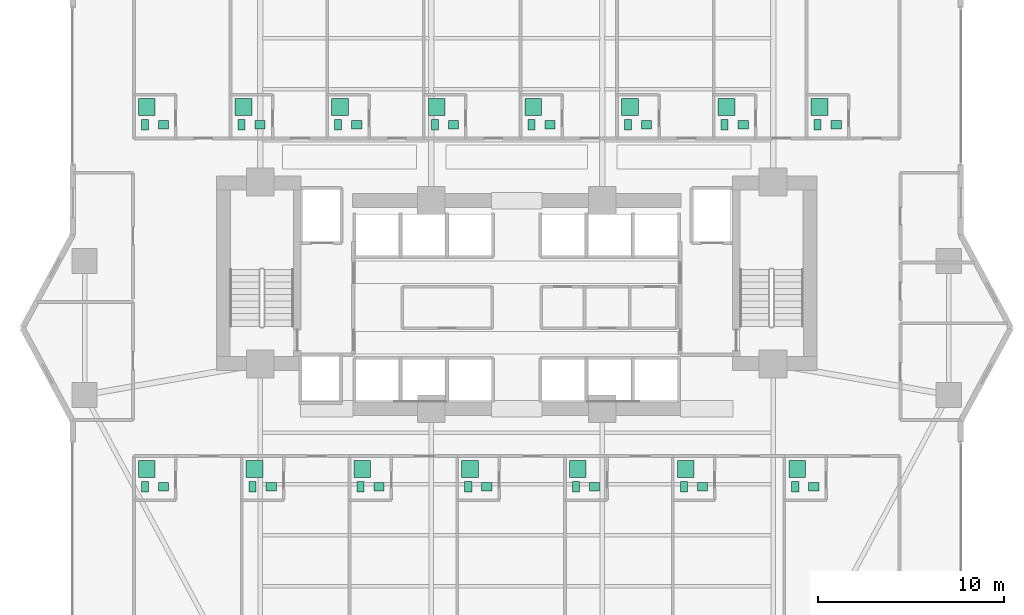
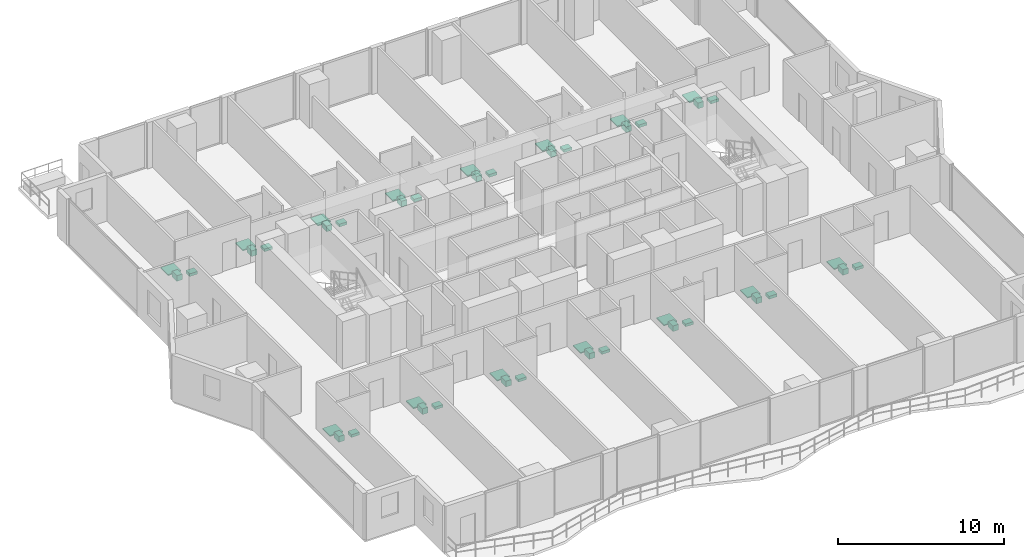
# One storey, part 29 of 29: 45 sanitary terminals.
"""IFC4 building model written with IfcOpenShell, lengths in metres."""

from ifc_helpers import new_model, si_unit, direction, frame, origin, origin_2d, place, context, subcontext, project, spatial, rectangle, extrude, material, type_object, element, save


model = new_model("IFC4")

# Units and contexts
model_context = context("Model", 3, precision=1e-05, world=origin(), true_north=direction((0.0, 1.0)))
body_context = subcontext(model_context, "Body", "Model", "MODEL_VIEW")
ifc_project = project(units=[si_unit("LENGTHUNIT", "METRE"), si_unit("AREAUNIT", "SQUARE_METRE"), si_unit("VOLUMEUNIT", "CUBIC_METRE"), si_unit("PLANEANGLEUNIT", "RADIAN"), si_unit("MASSUNIT", "GRAM", prefix="KILO")], contexts=[model_context])

# Site, building, storey
site_placement = place(None, origin())
site = spatial("IfcSite", under=ifc_project, at=site_placement, CompositionType="ELEMENT")
building_placement = place(site_placement, origin())
building = spatial("IfcBuilding", under=site, at=building_placement, Name="Zuhayl Quay Hotel", CompositionType="ELEMENT")
storey_placement = place(building_placement, frame((0.0, 0.0, 158.550048828125)))
storey = spatial("IfcBuildingStorey", under=building, at=storey_placement, Name="L40", CompositionType="ELEMENT", Elevation=158.550048828125)

# Sanitary terminals
ifc_material = material(Name="Vitreous Porcelain Sanitaryware")
sanitary_terminal_type_1 = type_object("IfcSanitaryTerminalType", Name="SAN_BASIN", PredefinedType="WASHHANDBASIN", material=ifc_material)
for number, where, z_axis, x_axis, name in (
    (1, (-19.010009765625, 17.43994140625, 0.0), (0.0, 0.0, 1.0), (1.0, 0.0, 0.0), "L40 Sanitary Fixture WASHHANDBASIN"),
    (2, (-13.81005859375, 17.43994140625, 0.0), (0.0, 0.0, 1.0), (1.0, 0.0, 0.0), "L40 Sanitary Fixture WASHHANDBASIN"),
    (3, (-8.610107421875, 17.43994140625, 0.0), (0.0, 0.0, 1.0), (1.0, 0.0, 0.0), "L40 Sanitary Fixture WASHHANDBASIN"),
    (4, (-3.409912109375, 17.43994140625, 0.0), (0.0, 0.0, 1.0), (1.0, 0.0, 0.0), "L40 Sanitary Fixture WASHHANDBASIN"),
    (5, (1.7900390625, 17.43994140625, 0.0), (0.0, 0.0, 1.0), (1.0, 0.0, 0.0), "L40 Sanitary Fixture WASHHANDBASIN"),
    (6, (6.989990234375, 17.43994140625, 0.0), (0.0, 0.0, 1.0), (1.0, 0.0, 0.0), "L40 Sanitary Fixture WASHHANDBASIN"),
    (7, (12.18994140625, 17.43994140625, 0.0), (0.0, 0.0, 1.0), (1.0, 0.0, 0.0), "L40 Sanitary Fixture WASHHANDBASIN"),
    (8, (17.18994140625, 17.43994140625, 0.0), (0.0, 0.0, 1.0), (1.0, 0.0, 0.0), "L40 Sanitary Fixture WASHHANDBASIN"),
    (9, (-19.010009765625, -2.0400390625, 0.0), (0.0, 0.0, 1.0), (1.0, 0.0, 0.0), "L40 Sanitary Fixture WASHHANDBASIN"),
    (10, (-13.2099609375, -2.0400390625, 0.0), (0.0, 0.0, 1.0), (1.0, 0.0, 0.0), "L40 Sanitary Fixture WASHHANDBASIN"),
    (11, (-7.409912109375, -2.0400390625, 0.0), (0.0, 0.0, 1.0), (1.0, 0.0, 0.0), "L40 Sanitary Fixture WASHHANDBASIN"),
    (12, (-1.610107421875, -2.0400390625, 0.0), (0.0, 0.0, 1.0), (1.0, 0.0, 0.0), "L40 Sanitary Fixture WASHHANDBASIN"),
    (13, (4.18994140625, -2.0400390625, 0.0), (0.0, 0.0, 1.0), (1.0, 0.0, 0.0), "L40 Sanitary Fixture WASHHANDBASIN"),
    (14, (9.989990234375, -2.0400390625, 0.0), (0.0, 0.0, 1.0), (1.0, 0.0, 0.0), "L40 Sanitary Fixture WASHHANDBASIN"),
    (15, (15.989990234375, -2.0400390625, 0.0), (0.0, 0.0, 1.0), (1.0, 0.0, 0.0), "L40 Sanitary Fixture WASHHANDBASIN"),
):
    element("IfcSanitaryTerminal", number, at=place(storey_placement, frame(where, z_axis=z_axis, x_axis=x_axis)), inside=storey, type_object=sanitary_terminal_type_1, Name=name, PredefinedType="WASHHANDBASIN", context=body_context, shape_type="SweptSolid", body=[
        extrude(rectangle(XDim=0.550048828125, YDim=0.449951171875, at=origin_2d()), origin(), (0.0, 0.0, 1.0), 0.199951171875),
    ])
sanitary_terminal_type_2 = type_object("IfcSanitaryTerminalType", Name="SAN_SHOWER", PredefinedType="SHOWER", material=ifc_material)
for number, where, z_axis, x_axis, name in (
    (16, (-19.909912109375, 18.389892578125, 0.0), (0.0, 0.0, 1.0), (1.0, 0.0, 0.0), "L40 Sanitary Fixture SHOWER"),
    (17, (-14.7099609375, 18.389892578125, 0.0), (0.0, 0.0, 1.0), (1.0, 0.0, 0.0), "L40 Sanitary Fixture SHOWER"),
    (18, (-9.510009765625, 18.389892578125, 0.0), (0.0, 0.0, 1.0), (1.0, 0.0, 0.0), "L40 Sanitary Fixture SHOWER"),
    (19, (-4.31005859375, 18.389892578125, 0.0), (0.0, 0.0, 1.0), (1.0, 0.0, 0.0), "L40 Sanitary Fixture SHOWER"),
    (20, (0.889892578125, 18.389892578125, 0.0), (0.0, 0.0, 1.0), (1.0, 0.0, 0.0), "L40 Sanitary Fixture SHOWER"),
    (21, (6.090087890625, 18.389892578125, 0.0), (0.0, 0.0, 1.0), (1.0, 0.0, 0.0), "L40 Sanitary Fixture SHOWER"),
    (22, (11.2900390625, 18.389892578125, 0.0), (0.0, 0.0, 1.0), (1.0, 0.0, 0.0), "L40 Sanitary Fixture SHOWER"),
    (23, (16.2900390625, 18.389892578125, 0.0), (0.0, 0.0, 1.0), (1.0, 0.0, 0.0), "L40 Sanitary Fixture SHOWER"),
    (24, (-19.909912109375, -1.090087890625, 0.0), (0.0, 0.0, 1.0), (1.0, 0.0, 0.0), "L40 Sanitary Fixture SHOWER"),
    (25, (-14.110107421875, -1.090087890625, 0.0), (0.0, 0.0, 1.0), (1.0, 0.0, 0.0), "L40 Sanitary Fixture SHOWER"),
    (26, (-8.31005859375, -1.090087890625, 0.0), (0.0, 0.0, 1.0), (1.0, 0.0, 0.0), "L40 Sanitary Fixture SHOWER"),
    (27, (-2.510009765625, -1.090087890625, 0.0), (0.0, 0.0, 1.0), (1.0, 0.0, 0.0), "L40 Sanitary Fixture SHOWER"),
    (28, (3.2900390625, -1.090087890625, 0.0), (0.0, 0.0, 1.0), (1.0, 0.0, 0.0), "L40 Sanitary Fixture SHOWER"),
    (29, (9.090087890625, -1.090087890625, 0.0), (0.0, 0.0, 1.0), (1.0, 0.0, 0.0), "L40 Sanitary Fixture SHOWER"),
    (30, (15.090087890625, -1.090087890625, 0.0), (0.0, 0.0, 1.0), (1.0, 0.0, 0.0), "L40 Sanitary Fixture SHOWER"),
):
    element("IfcSanitaryTerminal", number, at=place(storey_placement, frame(where, z_axis=z_axis, x_axis=x_axis)), inside=storey, type_object=sanitary_terminal_type_2, Name=name, PredefinedType="SHOWER", context=body_context, shape_type="SweptSolid", body=[
        extrude(rectangle(XDim=0.89990234375, YDim=0.89990234375, at=origin_2d()), origin(), (0.0, 0.0, 1.0), 0.080078125),
    ])
sanitary_terminal_type_3 = type_object("IfcSanitaryTerminalType", Name="SAN_WC", PredefinedType="TOILETPAN", material=ifc_material)
for number, where, z_axis, x_axis, name in (
    (31, (-20.010009765625, 17.43994140625, 0.0), (0.0, 0.0, 1.0), (1.0, 0.0, 0.0), "L40 Sanitary Fixture TOILETPAN"),
    (32, (-14.81005859375, 17.43994140625, 0.0), (0.0, 0.0, 1.0), (1.0, 0.0, 0.0), "L40 Sanitary Fixture TOILETPAN"),
    (33, (-9.610107421875, 17.43994140625, 0.0), (0.0, 0.0, 1.0), (1.0, 0.0, 0.0), "L40 Sanitary Fixture TOILETPAN"),
    (34, (-4.409912109375, 17.43994140625, 0.0), (0.0, 0.0, 1.0), (1.0, 0.0, 0.0), "L40 Sanitary Fixture TOILETPAN"),
    (35, (0.7900390625, 17.43994140625, 0.0), (0.0, 0.0, 1.0), (1.0, 0.0, 0.0), "L40 Sanitary Fixture TOILETPAN"),
    (36, (5.989990234375, 17.43994140625, 0.0), (0.0, 0.0, 1.0), (1.0, 0.0, 0.0), "L40 Sanitary Fixture TOILETPAN"),
    (37, (11.18994140625, 17.43994140625, 0.0), (0.0, 0.0, 1.0), (1.0, 0.0, 0.0), "L40 Sanitary Fixture TOILETPAN"),
    (38, (16.18994140625, 17.43994140625, 0.0), (0.0, 0.0, 1.0), (1.0, 0.0, 0.0), "L40 Sanitary Fixture TOILETPAN"),
    (39, (-20.010009765625, -2.0400390625, 0.0), (0.0, 0.0, 1.0), (1.0, 0.0, 0.0), "L40 Sanitary Fixture TOILETPAN"),
    (40, (-14.2099609375, -2.0400390625, 0.0), (0.0, 0.0, 1.0), (1.0, 0.0, 0.0), "L40 Sanitary Fixture TOILETPAN"),
    (41, (-8.409912109375, -2.0400390625, 0.0), (0.0, 0.0, 1.0), (1.0, 0.0, 0.0), "L40 Sanitary Fixture TOILETPAN"),
    (42, (-2.610107421875, -2.0400390625, 0.0), (0.0, 0.0, 1.0), (1.0, 0.0, 0.0), "L40 Sanitary Fixture TOILETPAN"),
    (43, (3.18994140625, -2.0400390625, 0.0), (0.0, 0.0, 1.0), (1.0, 0.0, 0.0), "L40 Sanitary Fixture TOILETPAN"),
    (44, (8.989990234375, -2.0400390625, 0.0), (0.0, 0.0, 1.0), (1.0, 0.0, 0.0), "L40 Sanitary Fixture TOILETPAN"),
    (45, (14.989990234375, -2.0400390625, 0.0), (0.0, 0.0, 1.0), (1.0, 0.0, 0.0), "L40 Sanitary Fixture TOILETPAN"),
):
    element("IfcSanitaryTerminal", number, at=place(storey_placement, frame(where, z_axis=z_axis, x_axis=x_axis)), inside=storey, type_object=sanitary_terminal_type_3, Name=name, PredefinedType="TOILETPAN", context=body_context, shape_type="SweptSolid", body=[
        extrude(rectangle(XDim=0.3798828125, YDim=0.56005859375, at=origin_2d()), origin(), (0.0, 0.0, 1.0), 0.419921875),
    ])

save(model, "model.ifc")
